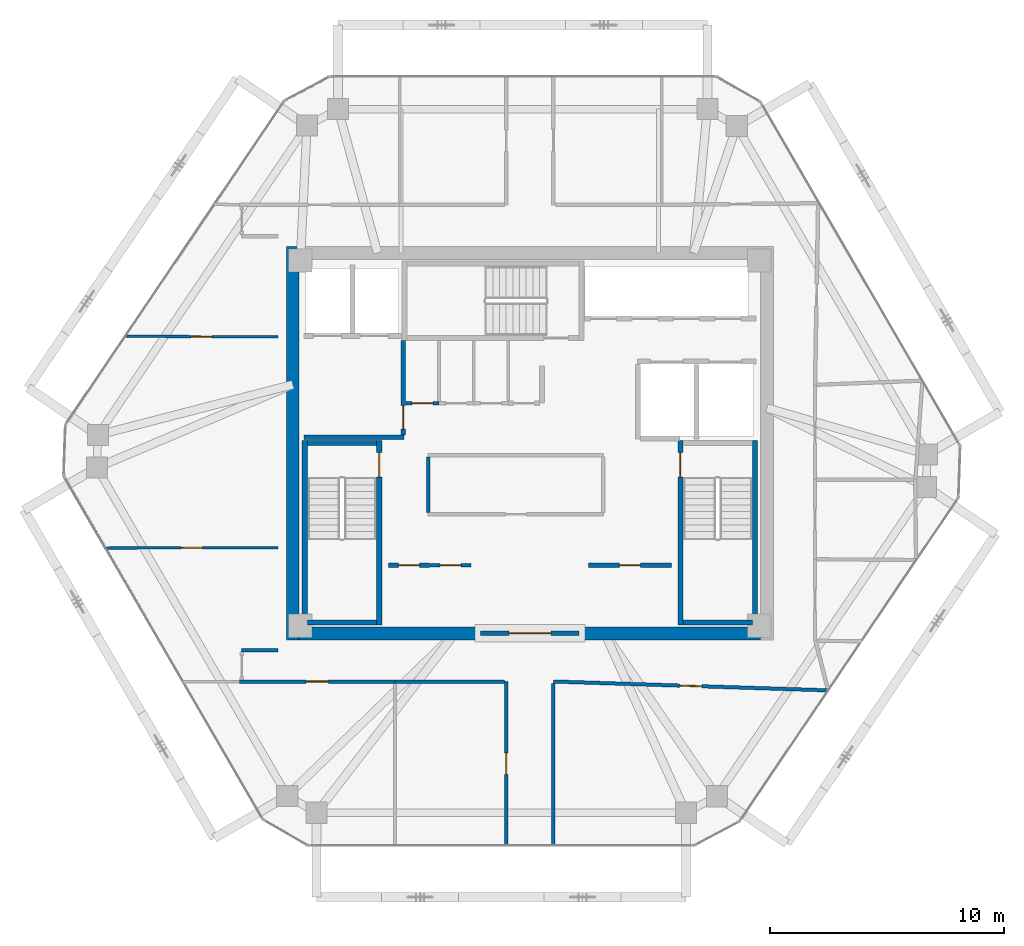
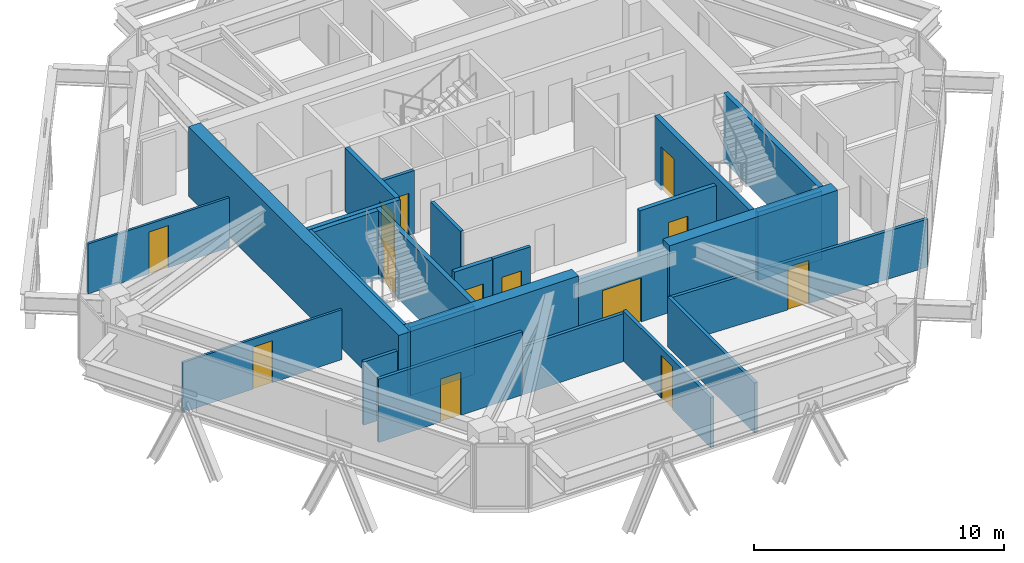
# One storey, part 10 of 14: 26 walls, 13 doors, 13 openings.
"""IFC4 building model written with IfcOpenShell, lengths in metres."""

from ifc_helpers import new_model, si_unit, direction, frame, frame_2d, origin, place, context, subcontext, project, spatial, rectangle, extrude, source, transform, mapped, material, layer, layer_set, type_object, type_shapes, element, fill, save


model = new_model("IFC4")

# Units and contexts
model_context = context("Model", 3, precision=1e-05, world=origin(), true_north=direction((0.0, 1.0)))
body_context = subcontext(model_context, "Body", "Model", "MODEL_VIEW")
ifc_project = project(units=[si_unit("LENGTHUNIT", "METRE"), si_unit("AREAUNIT", "SQUARE_METRE"), si_unit("VOLUMEUNIT", "CUBIC_METRE"), si_unit("PLANEANGLEUNIT", "RADIAN"), si_unit("MASSUNIT", "GRAM", prefix="KILO")], contexts=[model_context])

# Site, building, storey
site_placement = place(None, origin())
site = spatial("IfcSite", under=ifc_project, at=site_placement, CompositionType="ELEMENT")
building_placement = place(site_placement, origin())
building = spatial("IfcBuilding", under=site, at=building_placement, Name="Durnholm Broadcast Tower", CompositionType="ELEMENT")
storey_placement = place(building_placement, frame((0.0, 0.0, 261.5)))
storey = spatial("IfcBuildingStorey", under=building, at=storey_placement, Name="L73", CompositionType="ELEMENT", Elevation=261.5)

# Walls
ifc_material_1 = material(Name="Concrete C70/85", Category="concrete")
ifc_layer_1 = layer(ifc_material_1, 0.550048828125)
ifc_layer_set_1 = layer_set([ifc_layer_1], Name="Concrete C70/85")
wall_type_1 = type_object("IfcWallType", Name="WALL-CW-550", PredefinedType="SHEAR", material=ifc_layer_set_1)
wall_1_placement = place(storey_placement, frame((-10.125, -8.39990234375, 0.0), z_axis=(0.0, 0.0, 1.0), x_axis=(0.0, 1.0, 0.0)))
element("IfcWall", 1, at=wall_1_placement, inside=storey, type_object=wall_type_1, Name="L73 central core shear wall CW-WEST", PredefinedType="SHEAR", context=body_context, shape_type="SweptSolid", body=[
    extrude(rectangle(XDim=16.7998046875, YDim=0.550048828125, at=frame_2d((8.39990234375, 0.0))), origin(), (0.0, 0.0, 1.0), 3.39990234375),
])
for number, where, z_axis, x_axis, name in (
    (2, (-9.85009765625, -8.125, 0.0), (0.0, 0.0, 1.0), (1.0, 0.0, 0.0), "L73 central core shear wall CW-S1"),
    (3, (2.10009765625, -8.125, 0.0), (0.0, 0.0, 1.0), (1.0, 0.0, 0.0), "L73 central core shear wall CW-S2"),
):
    element("IfcWall", number, at=place(storey_placement, frame(where, z_axis=z_axis, x_axis=x_axis)), inside=storey, type_object=wall_type_1, Name=name, PredefinedType="SHEAR", context=body_context, shape_type="SweptSolid", body=[
        extrude(rectangle(XDim=7.75, YDim=0.550048828125, at=frame_2d((3.875, 0.0))), origin(), (0.0, 0.0, 1.0), 3.39990234375),
    ])

# Wall, opening, door
ifc_material_2 = material(Name="Fire-Rated Gypsum Shaftwall", Category="concrete")
ifc_layer_2 = layer(ifc_material_2, 0.199951171875)
ifc_layer_set_2 = layer_set([ifc_layer_2], Name="Fire-Rated Gypsum Shaftwall")
wall_type_2 = type_object("IfcWallType", Name="WALL-LOB-200", PredefinedType="SOLIDWALL", material=ifc_layer_set_2)
wall_2_placement = place(storey_placement, frame((-2.10009765625, -8.125, 0.0), z_axis=(0.0, 0.0, 1.0), x_axis=(1.0, 0.0, 0.0)))
wall_2 = element("IfcWall", 4, at=wall_2_placement, inside=storey, type_object=wall_type_2, Name="L73 south core lobby fire screen", PredefinedType="SOLIDWALL", context=body_context, shape_type="SweptSolid", body=[
    extrude(rectangle(XDim=4.2001953125, YDim=0.199951171875, at=frame_2d((2.10009765625, 0.0))), origin(), (0.0, 0.0, 1.0), 3.0849609375),
])
opening_1_placement = place(wall_2_placement, frame((1.199951171875, 0.0, 0.0)))
opening_1 = element("IfcOpeningElement", 5, at=opening_1_placement, cuts=wall_2, Name="Opening DP-60", PredefinedType="OPENING", context=body_context, shape_type="SweptSolid", body=[
    extrude(rectangle(XDim=1.800048828125, YDim=2.14990234375, at=frame_2d((0.89990234375, 1.074951171875))), frame((0.0, 0.10986328125, 0.0), z_axis=(0.0, -1.0, 0.0), x_axis=(1.0, 0.0, 0.0)), (0.0, 0.0, 1.0), 0.219970703125),
])
ifc_material_3 = material(Name="Fire-Rated Double Corridor Door", Category="steel")
ifc_layer_3 = layer(ifc_material_3, 0.050048828125)
ifc_layer_set_3 = layer_set([ifc_layer_3], Name="Fire-Rated Double Corridor Door")
door_type_1 = type_object("IfcDoorType", Name="DOOR-PAIR-FD60", OperationType="DOUBLE_DOOR_SINGLE_SWING", PredefinedType="DOOR", material=ifc_layer_set_3)
shared_shape_1 = source(origin(), body_context, "Body", "SweptSolid", [
    extrude(rectangle(XDim=1.800048828125, YDim=2.14990234375, at=frame_2d((0.89990234375, 1.074951171875))), frame((0.0, 0.02490234375, 0.0), z_axis=(0.0, -1.0, 0.0), x_axis=(1.0, 0.0, 0.0)), (0.0, 0.0, 1.0), 0.050048828125),
])
type_shapes(door_type_1, [shared_shape_1])
door_1_placement = place(opening_1_placement, origin())
door_1 = element("IfcDoor", 6, at=door_1_placement, inside=storey, type_object=door_type_1, Name="L73 south core lobby double fire door", OperationType="DOUBLE_DOOR_SINGLE_SWING", OverallHeight=2.14990234375, OverallWidth=1.800048828125, PredefinedType="DOOR", context=body_context, shape_type="MappedRepresentation", body=[
    mapped(shared_shape_1, transform((0.0, 0.0, 0.0), x_axis=(1.0, 0.0, 0.0), y_axis=(0.0, 1.0, 0.0), z_axis=(0.0, 0.0, 1.0), scale=1.0)),
])
fill(opening_1, door_1)

# Wall
wall_3_placement = place(storey_placement, frame((-9.64990234375, 0.25, 0.0), z_axis=(0.0, 0.0, 1.0), x_axis=(1.0, 0.0, 0.0)))
element("IfcWall", 7, at=wall_3_placement, inside=storey, type_object=wall_type_2, Name="L73 Fire Service Access Elevator lobby south wall", PredefinedType="SOLIDWALL", context=body_context, shape_type="SweptSolid", body=[
    extrude(rectangle(XDim=4.27001953125, YDim=0.199951171875, at=frame_2d((2.135009765625, 0.0))), origin(), (0.0, 0.0, 1.0), 3.0849609375),
])

# Wall, opening, door
wall_4_placement = place(storey_placement, frame((-5.39990234375, 0.35400390625, 0.0), z_axis=(0.0, 0.0, 1.0), x_axis=(0.0, 1.0, 0.0)))
wall_4 = element("IfcWall", 8, at=wall_4_placement, inside=storey, type_object=wall_type_2, Name="L73 Fire Service Access Elevator lobby east fire wall", PredefinedType="SOLIDWALL", context=body_context, shape_type="SweptSolid", body=[
    extrude(rectangle(XDim=4.02587890625, YDim=0.199951171875, at=frame_2d((2.012939453125, 0.0))), origin(), (0.0, 0.0, 1.0), 3.0849609375),
])
opening_2_placement = place(wall_4_placement, frame((0.24609375, 0.0, 0.0)))
opening_2 = element("IfcOpeningElement", 9, at=opening_2_placement, cuts=wall_4, Name="Opening DL-60R", PredefinedType="OPENING", context=body_context, shape_type="SweptSolid", body=[
    extrude(rectangle(XDim=1.0, YDim=2.14990234375, at=frame_2d((0.5, 1.074951171875))), frame((0.0, 0.10986328125, 0.0), z_axis=(0.0, -1.0, 0.0), x_axis=(1.0, 0.0, 0.0)), (0.0, 0.0, 1.0), 0.219970703125),
])
ifc_material_4 = material(Name="Fire-Rated Timber/Steel Door", Category="steel")
ifc_layer_4 = layer(ifc_material_4, 0.050048828125)
ifc_layer_set_4 = layer_set([ifc_layer_4], Name="Fire-Rated Timber/Steel Door")
door_type_2 = type_object("IfcDoorType", Name="DOOR-LOB-FD60-R", OperationType="NOTDEFINED", PredefinedType="DOOR", material=ifc_layer_set_4)
shared_shape_2 = source(origin(), body_context, "Body", "SweptSolid", [
    extrude(rectangle(XDim=1.0, YDim=2.14990234375, at=frame_2d((0.5, 1.074951171875))), frame((0.0, 0.02490234375, 0.0), z_axis=(0.0, -1.0, 0.0), x_axis=(1.0, 0.0, 0.0)), (0.0, 0.0, 1.0), 0.050048828125),
])
type_shapes(door_type_2, [shared_shape_2])
door_2_placement = place(opening_2_placement, origin())
door_2 = element("IfcDoor", 10, at=door_2_placement, inside=storey, type_object=door_type_2, Name="L73 Fire Service Access Elevator lobby smoke door", OperationType="SINGLE_SWING_RIGHT", OverallHeight=2.14990234375, OverallWidth=1.0, PredefinedType="DOOR", context=body_context, shape_type="MappedRepresentation", body=[
    mapped(shared_shape_2, transform((0.0, 0.0, 0.0), x_axis=(1.0, 0.0, 0.0), y_axis=(0.0, 1.0, 0.0), z_axis=(0.0, 0.0, 1.0), scale=1.0)),
])
fill(opening_2, door_2)

wall_5_placement = place(storey_placement, frame((-6.0400390625, -5.2099609375, 0.0), z_axis=(0.0, 0.0, 1.0), x_axis=(1.0, 0.0, 0.0)))
wall_5 = element("IfcWall", 11, at=wall_5_placement, inside=storey, type_object=wall_type_2, Name="L73 Media Fiber Patch Room corridor partition", PredefinedType="SOLIDWALL", context=body_context, shape_type="SweptSolid", body=[
    extrude(rectangle(XDim=1.760009765625, YDim=0.199951171875, at=frame_2d((0.8798828125, 0.0))), origin(), (0.0, 0.0, 1.0), 3.0849609375),
])
opening_3_placement = place(wall_5_placement, frame((0.429931640625, 0.0, 0.0)))
opening_3 = element("IfcOpeningElement", 12, at=opening_3_placement, cuts=wall_5, Name="Opening DC-60L", PredefinedType="OPENING", context=body_context, shape_type="SweptSolid", body=[
    extrude(rectangle(XDim=0.89990234375, YDim=2.050048828125, at=frame_2d((0.449951171875, 1.02490234375))), frame((0.0, 0.10986328125, 0.0), z_axis=(0.0, -1.0, 0.0), x_axis=(1.0, 0.0, 0.0)), (0.0, 0.0, 1.0), 0.219970703125),
])
ifc_material_5 = material(Name="Fire-Rated Core Service Door", Category="steel")
ifc_layer_5 = layer(ifc_material_5, 0.050048828125)
ifc_layer_set_5 = layer_set([ifc_layer_5], Name="Fire-Rated Core Service Door")
door_type_3 = type_object("IfcDoorType", Name="DOOR-CORE-FD60-L", OperationType="NOTDEFINED", PredefinedType="DOOR", material=ifc_layer_set_5)
shared_shape_3 = source(origin(), body_context, "Body", "SweptSolid", [
    extrude(rectangle(XDim=0.89990234375, YDim=2.050048828125, at=frame_2d((0.449951171875, 1.02490234375))), frame((0.0, 0.02490234375, 0.0), z_axis=(0.0, -1.0, 0.0), x_axis=(1.0, 0.0, 0.0)), (0.0, 0.0, 1.0), 0.050048828125),
])
type_shapes(door_type_3, [shared_shape_3])
door_3_placement = place(opening_3_placement, origin())
door_3 = element("IfcDoor", 13, at=door_3_placement, inside=storey, type_object=door_type_3, Name="L73 Media Fiber Patch Room entrance door", OperationType="SINGLE_SWING_LEFT", OverallHeight=2.050048828125, OverallWidth=0.89990234375, PredefinedType="DOOR", context=body_context, shape_type="MappedRepresentation", body=[
    mapped(shared_shape_3, transform((0.0, 0.0, 0.0), x_axis=(1.0, 0.0, 0.0), y_axis=(0.0, 1.0, 0.0), z_axis=(0.0, 0.0, 1.0), scale=1.0)),
])
fill(opening_3, door_3)

wall_6_placement = place(storey_placement, frame((2.510009765625, -5.2099609375, 0.0), z_axis=(0.0, 0.0, 1.0), x_axis=(1.0, 0.0, 0.0)))
wall_6 = element("IfcWall", 14, at=wall_6_placement, inside=storey, type_object=wall_type_2, Name="L73 Telemetry Control Closet corridor partition", PredefinedType="SOLIDWALL", context=body_context, shape_type="SweptSolid", body=[
    extrude(rectangle(XDim=3.530029296875, YDim=0.199951171875, at=frame_2d((1.76513671875, 0.0))), origin(), (0.0, 0.0, 1.0), 3.0849609375),
])
opening_4_placement = place(wall_6_placement, frame((1.31494140625, 0.0, 0.0)))
opening_4 = element("IfcOpeningElement", 15, at=opening_4_placement, cuts=wall_6, Name="Opening DC-60L", PredefinedType="OPENING", context=body_context, shape_type="SweptSolid", body=[
    extrude(rectangle(XDim=0.89990234375, YDim=2.050048828125, at=frame_2d((0.449951171875, 1.02490234375))), frame((0.0, 0.10986328125, 0.0), z_axis=(0.0, -1.0, 0.0), x_axis=(1.0, 0.0, 0.0)), (0.0, 0.0, 1.0), 0.219970703125),
])
door_4_placement = place(opening_4_placement, origin())
door_4 = element("IfcDoor", 16, at=door_4_placement, inside=storey, type_object=door_type_3, Name="L73 Telemetry Control Closet entrance door", OperationType="SINGLE_SWING_LEFT", OverallHeight=2.050048828125, OverallWidth=0.89990234375, PredefinedType="DOOR", context=body_context, shape_type="MappedRepresentation", body=[
    mapped(shared_shape_3, transform((0.0, 0.0, 0.0), x_axis=(1.0, 0.0, 0.0), y_axis=(0.0, 1.0, 0.0), z_axis=(0.0, 0.0, 1.0), scale=1.0)),
])
fill(opening_4, door_4)

ifc_material_6 = material(Name="Operable Acoustic Panel Partition", Category="aluminium")
ifc_layer_6 = layer(ifc_material_6, 0.110107421875)
ifc_layer_set_6 = layer_set([ifc_layer_6], Name="Operable Acoustic Panel Partition")
wall_type_3 = type_object("IfcWallType", Name="WALL-MOV-110", PredefinedType="MOVABLE", material=ifc_layer_set_6)
wall_7_placement = place(storey_placement, frame((-18.12109375, -4.47998046875, 0.0), z_axis=(0.0, 0.0, 1.0), x_axis=(0.999996301788, 0.002719634398, 0.0)))
wall_7 = element("IfcWall", 17, at=wall_7_placement, inside=storey, type_object=wall_type_3, Name="L73 room dividing partition 19.20", PredefinedType="MOVABLE", context=body_context, shape_type="SweptSolid", body=[
    extrude(rectangle(XDim=7.361083984375, YDim=0.110107421875, at=frame_2d((3.6806640625, 0.0))), origin(), (0.0, 0.0, 1.0), 2.438720703125),
])
opening_5_placement = place(wall_7_placement, frame((3.230712890625, 0.0, 0.0)))
opening_5 = element("IfcOpeningElement", 18, at=opening_5_placement, cuts=wall_7, Name="Opening DW-90L", PredefinedType="OPENING", context=body_context, shape_type="SweptSolid", body=[
    extrude(rectangle(XDim=0.89990234375, YDim=2.050048828125, at=frame_2d((0.449951171875, 1.02490234375))), frame((0.0, 0.06494140625, 0.0), z_axis=(0.0, -1.0, 0.0), x_axis=(1.0, 0.0, 0.0)), (0.0, 0.0, 1.0), 0.130126953125),
])
ifc_material_7 = material(Name="Laminate Restroom Door", Category="steel")
ifc_layer_7 = layer(ifc_material_7, 0.050048828125)
ifc_layer_set_7 = layer_set([ifc_layer_7], Name="Laminate Restroom Door")
door_type_4 = type_object("IfcDoorType", Name="DOOR-WC-900L", OperationType="NOTDEFINED", PredefinedType="DOOR", material=ifc_layer_set_7)
shared_shape_4 = source(origin(), body_context, "Body", "SweptSolid", [
    extrude(rectangle(XDim=0.89990234375, YDim=2.050048828125, at=frame_2d((0.449951171875, 1.02490234375))), frame((0.0, 0.02490234375, 0.0), z_axis=(0.0, -1.0, 0.0), x_axis=(1.0, 0.0, 0.0)), (0.0, 0.0, 1.0), 0.050048828125),
])
type_shapes(door_type_4, [shared_shape_4])
door_5_placement = place(opening_5_placement, origin())
door_5 = element("IfcDoor", 19, at=door_5_placement, inside=storey, type_object=door_type_4, Name="L73 Chairman Screening Auditorium connecting door", OperationType="SINGLE_SWING_LEFT", OverallHeight=2.050048828125, OverallWidth=0.89990234375, PredefinedType="DOOR", context=body_context, shape_type="MappedRepresentation", body=[
    mapped(shared_shape_4, transform((0.0, 0.0, 0.0), x_axis=(1.0, 0.0, 0.0), y_axis=(0.0, 1.0, 0.0), z_axis=(0.0, 0.0, 1.0), scale=1.0)),
])
fill(opening_5, door_5)

wall_8_placement = place(storey_placement, frame((-17.285888671875, 4.5625, 0.0), z_axis=(0.0, 0.0, 1.0), x_axis=(0.999994076971, -0.003441805278, 0.0)))
wall_8 = element("IfcWall", 20, at=wall_8_placement, inside=storey, type_object=wall_type_3, Name="L73 room dividing partition 21.22", PredefinedType="MOVABLE", context=body_context, shape_type="SweptSolid", body=[
    extrude(rectangle(XDim=6.52587890625, YDim=0.110107421875, at=frame_2d((3.262939453125, 0.0))), origin(), (0.0, 0.0, 1.0), 2.438720703125),
])
opening_6_placement = place(wall_8_placement, frame((2.81298828125, 0.0, 0.0)))
opening_6 = element("IfcOpeningElement", 21, at=opening_6_placement, cuts=wall_8, Name="Opening DW-90L", PredefinedType="OPENING", context=body_context, shape_type="SweptSolid", body=[
    extrude(rectangle(XDim=0.89990234375, YDim=2.050048828125, at=frame_2d((0.449951171875, 1.02490234375))), frame((0.0, 0.06494140625, 0.0), z_axis=(0.0, -1.0, 0.0), x_axis=(1.0, 0.0, 0.0)), (0.0, 0.0, 1.0), 0.130126953125),
])
door_6_placement = place(opening_6_placement, origin())
door_6 = element("IfcDoor", 22, at=door_6_placement, inside=storey, type_object=door_type_4, Name="L73 CEO Broadcast Lounge connecting door", OperationType="SINGLE_SWING_LEFT", OverallHeight=2.050048828125, OverallWidth=0.89990234375, PredefinedType="DOOR", context=body_context, shape_type="MappedRepresentation", body=[
    mapped(shared_shape_4, transform((0.0, 0.0, 0.0), x_axis=(1.0, 0.0, 0.0), y_axis=(0.0, 1.0, 0.0), z_axis=(0.0, 0.0, 1.0), scale=1.0)),
])
fill(opening_6, door_6)

ifc_material_8 = material(Name="Acoustic Gypsum Stud Partition", Category="concrete")
ifc_layer_8 = layer(ifc_material_8, 0.14990234375)
ifc_layer_set_8 = layer_set([ifc_layer_8], Name="Acoustic Gypsum Stud Partition")
wall_type_4 = type_object("IfcWallType", Name="WALL-PART-150", PredefinedType="PARTITIONING", material=ifc_layer_set_8)
wall_9_placement = place(storey_placement, frame((-4.260009765625, -5.2099609375, 0.0), z_axis=(0.0, 0.0, 1.0), x_axis=(1.0, 0.0, 0.0)))
wall_9 = element("IfcWall", 23, at=wall_9_placement, inside=storey, type_object=wall_type_4, Name="L73 Copy and Print Room corridor partition", PredefinedType="PARTITIONING", context=body_context, shape_type="SweptSolid", body=[
    extrude(rectangle(XDim=1.75, YDim=0.14990234375, at=frame_2d((0.875, 0.0))), origin(), (0.0, 0.0, 1.0), 3.0849609375),
])
opening_7_placement = place(wall_9_placement, frame((0.425048828125, 0.0, 0.0)))
opening_7 = element("IfcOpeningElement", 24, at=opening_7_placement, cuts=wall_9, Name="Opening DC-60R", PredefinedType="OPENING", context=body_context, shape_type="SweptSolid", body=[
    extrude(rectangle(XDim=0.89990234375, YDim=2.050048828125, at=frame_2d((0.449951171875, 1.02490234375))), frame((0.0, 0.0849609375, 0.0), z_axis=(0.0, -1.0, 0.0), x_axis=(1.0, 0.0, 0.0)), (0.0, 0.0, 1.0), 0.169921875),
])
ifc_layer_9 = layer(ifc_material_5, 0.050048828125)
ifc_layer_set_9 = layer_set([ifc_layer_9], Name="Fire-Rated Core Service Door")
door_type_5 = type_object("IfcDoorType", Name="DOOR-CORE-FD60-R", OperationType="NOTDEFINED", PredefinedType="DOOR", material=ifc_layer_set_9)
shared_shape_5 = source(origin(), body_context, "Body", "SweptSolid", [
    extrude(rectangle(XDim=0.89990234375, YDim=2.050048828125, at=frame_2d((0.449951171875, 1.02490234375))), frame((0.0, 0.02490234375, 0.0), z_axis=(0.0, -1.0, 0.0), x_axis=(1.0, 0.0, 0.0)), (0.0, 0.0, 1.0), 0.050048828125),
])
type_shapes(door_type_5, [shared_shape_5])
door_7_placement = place(opening_7_placement, origin())
door_7 = element("IfcDoor", 25, at=door_7_placement, inside=storey, type_object=door_type_5, Name="L73 Copy and Print Room entrance door", OperationType="SINGLE_SWING_RIGHT", OverallHeight=2.050048828125, OverallWidth=0.89990234375, PredefinedType="DOOR", context=body_context, shape_type="MappedRepresentation", body=[
    mapped(shared_shape_5, transform((0.0, 0.0, 0.0), x_axis=(1.0, 0.0, 0.0), y_axis=(0.0, 1.0, 0.0), z_axis=(0.0, 0.0, 1.0), scale=1.0)),
])
fill(opening_7, door_7)

# Wall
wall_10_placement = place(storey_placement, frame((-4.340087890625, -2.9609375, 0.0), z_axis=(0.0, 0.0, 1.0), x_axis=(0.0, 1.0, 0.0)))
element("IfcWall", 26, at=wall_10_placement, inside=storey, type_object=wall_type_4, Name="L73 Broadcast Equipment Pantry corridor partition", PredefinedType="PARTITIONING", context=body_context, shape_type="SweptSolid", body=[
    extrude(rectangle(XDim=2.371826171875, YDim=0.14990234375, at=frame_2d((1.18603515625, 0.0))), origin(), (0.0, 0.0, 1.0), 3.0849609375),
])

# Wall, opening, door
wall_11_placement = place(storey_placement, frame((-3.8798828125, 1.7099609375, 0.0), z_axis=(0.0, 0.0, 1.0), x_axis=(-1.0, 0.0, 0.0)))
wall_11 = element("IfcWall", 27, at=wall_11_placement, inside=storey, type_object=wall_type_4, Name="L73 Core First Aid Store corridor partition", PredefinedType="PARTITIONING", context=body_context, shape_type="SweptSolid", body=[
    extrude(rectangle(XDim=1.416015625, YDim=0.14990234375, at=frame_2d((0.7080078125, 0.0))), origin(), (0.0, 0.0, 1.0), 3.0849609375),
])
opening_8_placement = place(wall_11_placement, frame((0.258056640625, 0.0, 0.0)))
opening_8 = element("IfcOpeningElement", 28, at=opening_8_placement, cuts=wall_11, Name="Opening DC-60L", PredefinedType="OPENING", context=body_context, shape_type="SweptSolid", body=[
    extrude(rectangle(XDim=0.89990234375, YDim=2.050048828125, at=frame_2d((0.449951171875, 1.02490234375))), frame((0.0, 0.0849609375, 0.0), z_axis=(0.0, -1.0, 0.0), x_axis=(1.0, 0.0, 0.0)), (0.0, 0.0, 1.0), 0.169921875),
])
door_8_placement = place(opening_8_placement, origin())
door_8 = element("IfcDoor", 29, at=door_8_placement, inside=storey, type_object=door_type_3, Name="L73 Core First Aid Store entrance door", OperationType="SINGLE_SWING_LEFT", OverallHeight=2.050048828125, OverallWidth=0.89990234375, PredefinedType="DOOR", context=body_context, shape_type="MappedRepresentation", body=[
    mapped(shared_shape_3, transform((0.0, 0.0, 0.0), x_axis=(1.0, 0.0, 0.0), y_axis=(0.0, 1.0, 0.0), z_axis=(0.0, 0.0, 1.0), scale=1.0)),
])
fill(opening_8, door_8)

wall_12_placement = place(storey_placement, frame((-12.389892578125, -10.179931640625, 0.0), z_axis=(0.0, 0.0, 1.0), x_axis=(1.0, 0.0, 0.0)))
wall_12 = element("IfcWall", 30, at=wall_12_placement, inside=storey, type_object=wall_type_4, Name="L73 Open Plan Broadcast Workspace 6 corridor partition", PredefinedType="PARTITIONING", context=body_context, shape_type="SweptSolid", body=[
    extrude(rectangle(XDim=6.6298828125, YDim=0.14990234375, at=frame_2d((3.31494140625, 0.0))), origin(), (0.0, 0.0, 1.0), 3.0849609375),
])
opening_9_placement = place(wall_12_placement, frame((2.840087890625, 0.0, 0.0)))
opening_9 = element("IfcOpeningElement", 31, at=opening_9_placement, cuts=wall_12, Name="Opening DR-95R", PredefinedType="OPENING", context=body_context, shape_type="SweptSolid", body=[
    extrude(rectangle(XDim=0.949951171875, YDim=2.10009765625, at=frame_2d((0.47509765625, 1.050048828125))), frame((0.0, 0.0849609375, 0.0), z_axis=(0.0, -1.0, 0.0), x_axis=(1.0, 0.0, 0.0)), (0.0, 0.0, 1.0), 0.169921875),
])
ifc_material_9 = material(Name="Acoustic Oak Veneer Timber Door", Category="wood")
ifc_layer_10 = layer(ifc_material_9, 0.050048828125)
ifc_layer_set_10 = layer_set([ifc_layer_10], Name="Acoustic Oak Veneer Timber Door")
door_type_6 = type_object("IfcDoorType", Name="DOOR-RM-950R", OperationType="NOTDEFINED", PredefinedType="DOOR", material=ifc_layer_set_10)
shared_shape_6 = source(origin(), body_context, "Body", "SweptSolid", [
    extrude(rectangle(XDim=0.949951171875, YDim=2.10009765625, at=frame_2d((0.47509765625, 1.050048828125))), frame((0.0, 0.02490234375, 0.0), z_axis=(0.0, -1.0, 0.0), x_axis=(1.0, 0.0, 0.0)), (0.0, 0.0, 1.0), 0.050048828125),
])
type_shapes(door_type_6, [shared_shape_6])
door_9_placement = place(opening_9_placement, origin())
door_9 = element("IfcDoor", 32, at=door_9_placement, inside=storey, type_object=door_type_6, Name="L73 Open Plan Broadcast Workspace 6 entrance door", OperationType="SINGLE_SWING_RIGHT", OverallHeight=2.10009765625, OverallWidth=0.949951171875, PredefinedType="DOOR", context=body_context, shape_type="MappedRepresentation", body=[
    mapped(shared_shape_6, transform((0.0, 0.0, 0.0), x_axis=(1.0, 0.0, 0.0), y_axis=(0.0, 1.0, 0.0), z_axis=(0.0, 0.0, 1.0), scale=1.0)),
])
fill(opening_9, door_9)

wall_13_placement = place(storey_placement, frame((-1.010009765625, -10.179931640625, 0.0), z_axis=(0.0, 0.0, 1.0), x_axis=(0.0, -1.0, 0.0)))
wall_13 = element("IfcWall", 33, at=wall_13_placement, inside=storey, type_object=wall_type_4, Name="L73 Diplomatic Dining Room corridor partition", PredefinedType="PARTITIONING", context=body_context, shape_type="SweptSolid", body=[
    extrude(rectangle(XDim=7.006103515625, YDim=0.14990234375, at=frame_2d((3.5029296875, 0.0))), origin(), (0.0, 0.0, 1.0), 2.438720703125),
])
opening_10_placement = place(wall_13_placement, frame((3.04296875, 0.0, 0.0)))
opening_10 = element("IfcOpeningElement", 34, at=opening_10_placement, cuts=wall_13, Name="Opening DR-92L", PredefinedType="OPENING", context=body_context, shape_type="SweptSolid", body=[
    extrude(rectangle(XDim=0.919921875, YDim=2.10009765625, at=frame_2d((0.4599609375, 1.050048828125))), frame((0.0, 0.0849609375, 0.0), z_axis=(0.0, -1.0, 0.0), x_axis=(1.0, 0.0, 0.0)), (0.0, 0.0, 1.0), 0.169921875),
])
ifc_material_10 = material(Name="Oak Veneer Office Door", Category="wood")
ifc_layer_11 = layer(ifc_material_10, 0.050048828125)
ifc_layer_set_11 = layer_set([ifc_layer_11], Name="Oak Veneer Office Door")
door_type_7 = type_object("IfcDoorType", Name="DOOR-RM-920L", OperationType="NOTDEFINED", PredefinedType="DOOR", material=ifc_layer_set_11)
shared_shape_7 = source(origin(), body_context, "Body", "SweptSolid", [
    extrude(rectangle(XDim=0.919921875, YDim=2.10009765625, at=frame_2d((0.4599609375, 1.050048828125))), frame((0.0, 0.02490234375, 0.0), z_axis=(0.0, -1.0, 0.0), x_axis=(1.0, 0.0, 0.0)), (0.0, 0.0, 1.0), 0.050048828125),
])
type_shapes(door_type_7, [shared_shape_7])
door_10_placement = place(opening_10_placement, origin())
door_10 = element("IfcDoor", 35, at=door_10_placement, inside=storey, type_object=door_type_7, Name="L73 Diplomatic Dining Room entrance door", OperationType="SINGLE_SWING_LEFT", OverallHeight=2.10009765625, OverallWidth=0.919921875, PredefinedType="DOOR", context=body_context, shape_type="MappedRepresentation", body=[
    mapped(shared_shape_7, transform((0.0, 0.0, 0.0), x_axis=(1.0, 0.0, 0.0), y_axis=(0.0, 1.0, 0.0), z_axis=(0.0, 0.0, 1.0), scale=1.0)),
])
fill(opening_10, door_10)

# Wall
wall_14_placement = place(storey_placement, frame((-5.760009765625, -10.179931640625, 0.0), z_axis=(0.0, 0.0, 1.0), x_axis=(1.0, 0.0, 0.0)))
element("IfcWall", 36, at=wall_14_placement, inside=storey, type_object=wall_type_4, Name="L73 Diplomatic Dining Room corridor partition", PredefinedType="PARTITIONING", context=body_context, shape_type="SweptSolid", body=[
    extrude(rectangle(XDim=4.6708984375, YDim=0.14990234375, at=frame_2d((2.33544921875, 0.0))), origin(), (0.0, 0.0, 1.0), 2.34130859375),
])

# Wall, opening, door
wall_15_placement = place(storey_placement, frame((1.010009765625, -10.179931640625, 0.0), z_axis=(0.0, 0.0, 1.0), x_axis=(0.999481281494, -0.032205091873, 0.0)))
wall_15 = element("IfcWall", 37, at=wall_15_placement, inside=storey, type_object=wall_type_4, Name="L73 Executive Butler Kitchen corridor partition", PredefinedType="PARTITIONING", context=body_context, shape_type="SweptSolid", body=[
    extrude(rectangle(XDim=11.735107421875, YDim=0.14990234375, at=frame_2d((5.86767578125, 0.0))), origin(), (0.0, 0.0, 1.0), 2.34130859375),
])
opening_11_placement = place(wall_15_placement, frame((5.392578125, 0.0, 0.0)))
opening_11 = element("IfcOpeningElement", 38, at=opening_11_placement, cuts=wall_15, Name="Opening DR-95R", PredefinedType="OPENING", context=body_context, shape_type="SweptSolid", body=[
    extrude(rectangle(XDim=0.949951171875, YDim=2.10009765625, at=frame_2d((0.47509765625, 1.050048828125))), frame((0.0, 0.0849609375, 0.0), z_axis=(0.0, -1.0, 0.0), x_axis=(1.0, 0.0, 0.0)), (0.0, 0.0, 1.0), 0.169921875),
])
door_11_placement = place(opening_11_placement, origin())
door_11 = element("IfcDoor", 39, at=door_11_placement, inside=storey, type_object=door_type_6, Name="L73 Executive Butler Kitchen entrance door", OperationType="SINGLE_SWING_RIGHT", OverallHeight=2.10009765625, OverallWidth=0.949951171875, PredefinedType="DOOR", context=body_context, shape_type="MappedRepresentation", body=[
    mapped(shared_shape_6, transform((0.0, 0.0, 0.0), x_axis=(1.0, 0.0, 0.0), y_axis=(0.0, 1.0, 0.0), z_axis=(0.0, 0.0, 1.0), scale=1.0)),
])
fill(opening_11, door_11)

# Walls
wall_16_placement = place(storey_placement, frame((1.010009765625, -17.18603515625, 0.0), z_axis=(0.0, 0.0, 1.0), x_axis=(0.0, 1.0, 0.0)))
element("IfcWall", 40, at=wall_16_placement, inside=storey, type_object=wall_type_4, Name="L73 Executive Butler Kitchen corridor partition", PredefinedType="PARTITIONING", context=body_context, shape_type="SweptSolid", body=[
    extrude(rectangle(XDim=6.927001953125, YDim=0.14990234375, at=frame_2d((3.46337890625, 0.0))), origin(), (0.0, 0.0, 1.0), 2.438720703125),
])
wall_17_placement = place(storey_placement, frame((-10.760009765625, -8.840087890625, 0.0), z_axis=(0.0, 0.0, 1.0), x_axis=(-1.0, 0.0, 0.0)))
element("IfcWall", 41, at=wall_17_placement, inside=storey, type_object=wall_type_4, Name="L73 Executive Study Office corridor partition", PredefinedType="PARTITIONING", context=body_context, shape_type="SweptSolid", body=[
    extrude(rectangle(XDim=1.550048828125, YDim=0.14990234375, at=frame_2d((0.77490234375, 0.0))), origin(), (0.0, 0.0, 1.0), 3.0849609375),
])

# Wall, opening, door
ifc_material_11 = material(Name="Concrete C50/60", Category="concrete")
ifc_layer_12 = layer(ifc_material_11, 0.219970703125)
ifc_layer_set_12 = layer_set([ifc_layer_12], Name="Concrete C50/60")
wall_type_5 = type_object("IfcWallType", Name="WALL-SW-220", PredefinedType="SHEAR", material=ifc_layer_set_12)
wall_18_placement = place(storey_placement, frame((-6.429931640625, -7.77001953125, -0.239990234375), z_axis=(0.0, 0.0, 1.0), x_axis=(0.0, 1.0, 0.0)))
wall_18 = element("IfcWall", 42, at=wall_18_placement, inside=storey, type_object=wall_type_5, Name="L73 stair ST-1 structural shaft wall E", PredefinedType="SHEAR", context=body_context, shape_type="SweptSolid", body=[
    extrude(rectangle(XDim=7.89013671875, YDim=0.219970703125, at=frame_2d((3.945068359375, 0.0))), origin(), (0.0, 0.0, 1.0), 3.340087890625),
])
opening_12_placement = place(wall_18_placement, frame((6.320068359375, 0.0, 0.0)))
opening_12 = element("IfcOpeningElement", 43, at=opening_12_placement, cuts=wall_18, Name="Opening DS-90L", PredefinedType="OPENING", context=body_context, shape_type="SweptSolid", body=[
    extrude(rectangle(XDim=1.050048828125, YDim=2.14990234375, at=frame_2d((0.52490234375, 1.074951171875))), frame((0.0, 0.1201171875, 0.0), z_axis=(0.0, -1.0, 0.0), x_axis=(1.0, 0.0, 0.0)), (0.0, 0.0, 1.0), 0.239990234375),
])
ifc_material_12 = material(Name="Fire-Rated Steel Door", Category="steel")
ifc_layer_13 = layer(ifc_material_12, 0.050048828125)
ifc_layer_set_13 = layer_set([ifc_layer_13], Name="Fire-Rated Steel Door")
door_type_8 = type_object("IfcDoorType", Name="DOOR-ST-FD90-L", OperationType="NOTDEFINED", PredefinedType="DOOR", material=ifc_layer_set_13)
shared_shape_8 = source(origin(), body_context, "Body", "SweptSolid", [
    extrude(rectangle(XDim=1.050048828125, YDim=2.14990234375, at=frame_2d((0.52490234375, 1.074951171875))), frame((0.0, 0.02490234375, 0.0), z_axis=(0.0, -1.0, 0.0), x_axis=(1.0, 0.0, 0.0)), (0.0, 0.0, 1.0), 0.050048828125),
])
type_shapes(door_type_8, [shared_shape_8])
door_12_placement = place(opening_12_placement, origin())
door_12 = element("IfcDoor", 44, at=door_12_placement, inside=storey, type_object=door_type_8, Name="L73 exit stair ST-1 fire door", OperationType="SINGLE_SWING_LEFT", OverallHeight=2.14990234375, OverallWidth=1.050048828125, PredefinedType="DOOR", context=body_context, shape_type="MappedRepresentation", body=[
    mapped(shared_shape_8, transform((0.0, 0.0, 0.0), x_axis=(1.0, 0.0, 0.0), y_axis=(0.0, 1.0, 0.0), z_axis=(0.0, 0.0, 1.0), scale=1.0)),
])
fill(opening_12, door_12)

# Walls
wall_19_placement = place(storey_placement, frame((-9.610107421875, 0.1201171875, -0.239990234375), z_axis=(0.0, 0.0, 1.0), x_axis=(0.0, -1.0, 0.0)))
element("IfcWall", 45, at=wall_19_placement, inside=storey, type_object=wall_type_5, Name="L73 stair ST-1 structural shaft wall W", PredefinedType="SHEAR", context=body_context, shape_type="SweptSolid", body=[
    extrude(rectangle(XDim=7.89013671875, YDim=0.219970703125, at=frame_2d((3.945068359375, 0.0))), origin(), (0.0, 0.0, 1.0), 3.340087890625),
])
for number, where, z_axis, x_axis, name in (
    (46, (-9.5, -7.659912109375, -0.239990234375), (0.0, 0.0, 1.0), (1.0, 0.0, 0.0), "L73 stair ST-1 structural shaft wall S"),
    (47, (-6.5400390625, 0.010009765625, -0.239990234375), (0.0, 0.0, 1.0), (-1.0, 0.0, 0.0), "L73 stair ST-1 structural shaft wall N"),
):
    element("IfcWall", number, at=place(storey_placement, frame(where, z_axis=z_axis, x_axis=x_axis)), inside=storey, type_object=wall_type_5, Name=name, PredefinedType="SHEAR", context=body_context, shape_type="SweptSolid", body=[
        extrude(rectangle(XDim=2.9599609375, YDim=0.219970703125, at=frame_2d((1.47998046875, 0.0))), origin(), (0.0, 0.0, 1.0), 3.340087890625),
    ])
wall_20_placement = place(storey_placement, frame((9.610107421875, -7.77001953125, -0.239990234375), z_axis=(0.0, 0.0, 1.0), x_axis=(0.0, 1.0, 0.0)))
element("IfcWall", 48, at=wall_20_placement, inside=storey, type_object=wall_type_5, Name="L73 stair ST-2 structural shaft wall E", PredefinedType="SHEAR", context=body_context, shape_type="SweptSolid", body=[
    extrude(rectangle(XDim=7.89013671875, YDim=0.219970703125, at=frame_2d((3.945068359375, 0.0))), origin(), (0.0, 0.0, 1.0), 3.340087890625),
])

# Wall, opening, door
wall_21_placement = place(storey_placement, frame((6.429931640625, 0.1201171875, -0.239990234375), z_axis=(0.0, 0.0, 1.0), x_axis=(0.0, -1.0, 0.0)))
wall_21 = element("IfcWall", 49, at=wall_21_placement, inside=storey, type_object=wall_type_5, Name="L73 stair ST-2 structural shaft wall W", PredefinedType="SHEAR", context=body_context, shape_type="SweptSolid", body=[
    extrude(rectangle(XDim=7.89013671875, YDim=0.219970703125, at=frame_2d((3.945068359375, 0.0))), origin(), (0.0, 0.0, 1.0), 3.340087890625),
])
opening_13_placement = place(wall_21_placement, frame((0.52001953125, 0.0, 0.0)))
opening_13 = element("IfcOpeningElement", 50, at=opening_13_placement, cuts=wall_21, Name="Opening DS-90R", PredefinedType="OPENING", context=body_context, shape_type="SweptSolid", body=[
    extrude(rectangle(XDim=1.050048828125, YDim=2.14990234375, at=frame_2d((0.52490234375, 1.074951171875))), frame((0.0, 0.1201171875, 0.0), z_axis=(0.0, -1.0, 0.0), x_axis=(1.0, 0.0, 0.0)), (0.0, 0.0, 1.0), 0.239990234375),
])
ifc_layer_14 = layer(ifc_material_12, 0.050048828125)
ifc_layer_set_14 = layer_set([ifc_layer_14], Name="Fire-Rated Steel Door")
door_type_9 = type_object("IfcDoorType", Name="DOOR-ST-FD90-R", OperationType="NOTDEFINED", PredefinedType="DOOR", material=ifc_layer_set_14)
shared_shape_9 = source(origin(), body_context, "Body", "SweptSolid", [
    extrude(rectangle(XDim=1.050048828125, YDim=2.14990234375, at=frame_2d((0.52490234375, 1.074951171875))), frame((0.0, 0.02490234375, 0.0), z_axis=(0.0, -1.0, 0.0), x_axis=(1.0, 0.0, 0.0)), (0.0, 0.0, 1.0), 0.050048828125),
])
type_shapes(door_type_9, [shared_shape_9])
door_13_placement = place(opening_13_placement, origin())
door_13 = element("IfcDoor", 51, at=door_13_placement, inside=storey, type_object=door_type_9, Name="L73 exit stair ST-2 fire door", OperationType="SINGLE_SWING_RIGHT", OverallHeight=2.14990234375, OverallWidth=1.050048828125, PredefinedType="DOOR", context=body_context, shape_type="MappedRepresentation", body=[
    mapped(shared_shape_9, transform((0.0, 0.0, 0.0), x_axis=(1.0, 0.0, 0.0), y_axis=(0.0, 1.0, 0.0), z_axis=(0.0, 0.0, 1.0), scale=1.0)),
])
fill(opening_13, door_13)

# Wall
wall_22_placement = place(storey_placement, frame((6.5400390625, -7.659912109375, -0.239990234375), z_axis=(0.0, 0.0, 1.0), x_axis=(1.0, 0.0, 0.0)))
element("IfcWall", 52, at=wall_22_placement, inside=storey, type_object=wall_type_5, Name="L73 stair ST-2 structural shaft wall S", PredefinedType="SHEAR", context=body_context, shape_type="SweptSolid", body=[
    extrude(rectangle(XDim=2.9599609375, YDim=0.219970703125, at=frame_2d((1.47998046875, 0.0))), origin(), (0.0, 0.0, 1.0), 3.340087890625),
])

save(model, "model.ifc")
